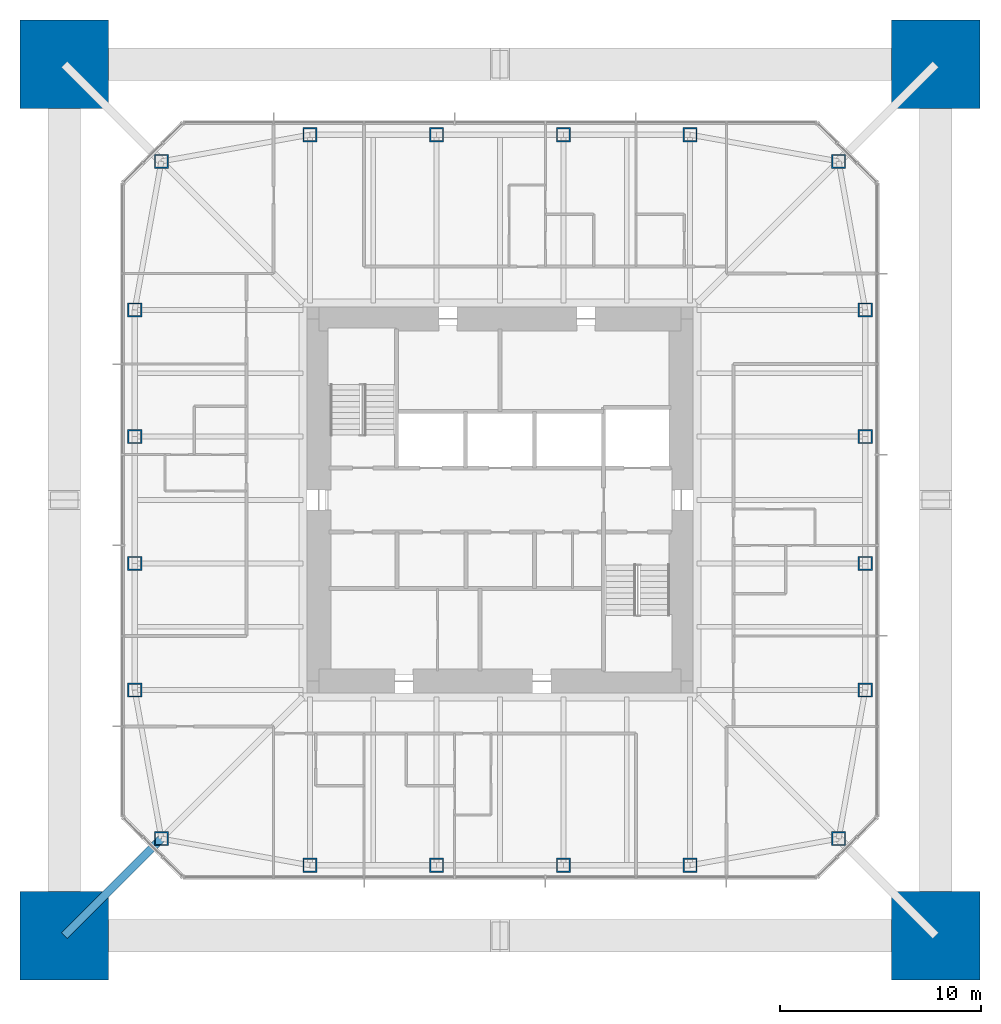
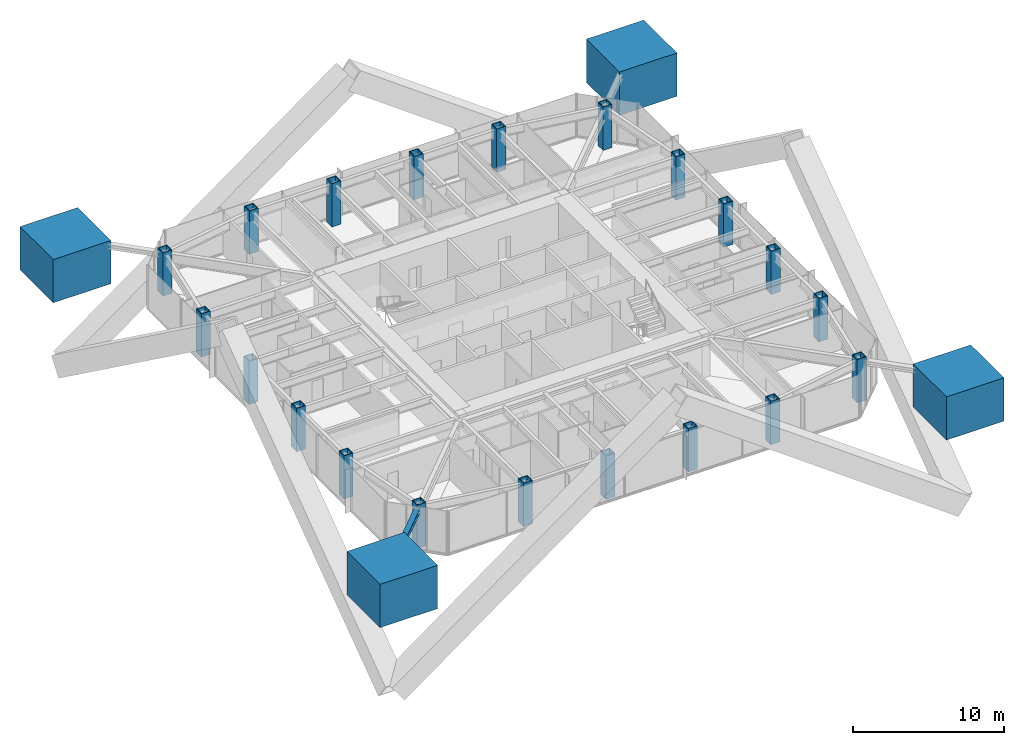
# One storey, part 1 of 13: 24 columns, 1 member.
"""IFC4 building model written with IfcOpenShell, lengths in metres."""

from ifc_helpers import new_model, si_unit, direction, frame, origin, origin_2d, place, context, subcontext, project, spatial, rectangle, hollow_rectangle, i_section, extrude, material, material_profile, profile_set, type_object, element, save


model = new_model("IFC4")

# Units and contexts
model_context = context("Model", 3, precision=1e-05, world=origin(), true_north=direction((0.0, 1.0)))
body_context = subcontext(model_context, "Body", "Model", "MODEL_VIEW")
ifc_project = project(units=[si_unit("LENGTHUNIT", "METRE"), si_unit("AREAUNIT", "SQUARE_METRE"), si_unit("VOLUMEUNIT", "CUBIC_METRE"), si_unit("PLANEANGLEUNIT", "RADIAN"), si_unit("MASSUNIT", "GRAM", prefix="KILO")], contexts=[model_context])

# Site, building, storey
site_placement = place(None, origin())
site = spatial("IfcSite", under=ifc_project, at=site_placement, CompositionType="ELEMENT")
building_placement = place(site_placement, origin())
building = spatial("IfcBuilding", under=site, at=building_placement, Name="Iwan Alto Co-Living Towers", CompositionType="ELEMENT")
storey_placement = place(building_placement, frame((0.0, 0.0, 184.5)))
storey = spatial("IfcBuildingStorey", under=building, at=storey_placement, Name="L50", CompositionType="ELEMENT", Elevation=184.5)

# Columns
ifc_material_1 = material(Name="Concrete f'c 70 MPa", Category="concrete")
ifc_material_profile_1 = material_profile(ifc_material_1, rectangle(XDim=4.39990234375, YDim=4.39990234375, at=origin_2d()), Name="RC 4400X4400")
ifc_profile_set_1 = profile_set([ifc_material_profile_1], Name="Concrete f'c 70 MPa")
column_type_1 = type_object("IfcColumnType", Name="T1 MEGA COLUMN RC 4400X4400", PredefinedType="COLUMN", material=ifc_profile_set_1)
for number, where, z_axis, x_axis, name in (
    (1, (-21.64990234375, -21.64990234375, 0.0), (0.0, 0.0, 1.0), (1.0, 0.0, 0.0), "T1 mega column SW L50"),
    (2, (21.64990234375, -21.64990234375, 0.0), (0.0, 0.0, 1.0), (1.0, 0.0, 0.0), "T1 mega column SE L50"),
    (3, (21.64990234375, 21.64990234375, 0.0), (0.0, 0.0, 1.0), (1.0, 0.0, 0.0), "T1 mega column NE L50"),
    (4, (-21.64990234375, 21.64990234375, 0.0), (0.0, 0.0, 1.0), (1.0, 0.0, 0.0), "T1 mega column NW L50"),
):
    element("IfcColumn", number, at=place(storey_placement, frame(where, z_axis=z_axis, x_axis=x_axis)), inside=storey, type_object=column_type_1, Name=name, PredefinedType="COLUMN", context=body_context, shape_type="SweptSolid", body=[
        extrude(rectangle(XDim=4.39990234375, YDim=4.39990234375, at=origin_2d()), origin(), (0.0, 0.0, 1.0), 3.5),
        extrude(i_section(OverallWidth=0.4775390625, OverallDepth=0.599365234375, WebThickness=0.10009765625, FlangeThickness=0.139892578125, at=origin_2d()), origin(), (0.0, 0.0, 1.0), 3.5),
    ])
ifc_material_2 = material(Name="Steel ASTM A572 Gr 50", Category="steel")
ifc_material_profile_2 = material_profile(ifc_material_2, hollow_rectangle(XDim=0.699951171875, YDim=0.699951171875, WallThickness=0.06005859375, at=origin_2d()), Name="BOX 700X700X60")
ifc_profile_set_2 = profile_set([ifc_material_profile_2], Name="Steel ASTM A572 Gr 50")
column_type_2 = type_object("IfcColumnType", Name="T1 RING COLUMN BOX 700X700X60", PredefinedType="COLUMN", material=ifc_profile_set_2)
for number, where, z_axis, x_axis, name in (
    (5, (-16.82568359375, -16.82568359375, 0.0), (0.0, 0.0, 1.0), (1.0, 0.0, 0.0), "T1 ring column CSW L50"),
    (6, (-9.449951171875, -18.14990234375, 0.0), (0.0, 0.0, 1.0), (1.0, 0.0, 0.0), "T1 ring column S1 L50"),
    (7, (-3.14990234375, -18.14990234375, 0.0), (0.0, 0.0, 1.0), (1.0, 0.0, 0.0), "T1 ring column S2 L50"),
    (8, (3.14990234375, -18.14990234375, 0.0), (0.0, 0.0, 1.0), (1.0, 0.0, 0.0), "T1 ring column S3 L50"),
    (9, (9.449951171875, -18.14990234375, 0.0), (0.0, 0.0, 1.0), (1.0, 0.0, 0.0), "T1 ring column S4 L50"),
    (10, (16.82568359375, -16.82568359375, 0.0), (0.0, 0.0, 1.0), (1.0, 0.0, 0.0), "T1 ring column CSE L50"),
    (11, (18.14990234375, -9.449951171875, 0.0), (0.0, 0.0, 1.0), (1.0, 0.0, 0.0), "T1 ring column E1 L50"),
    (12, (18.14990234375, -3.14990234375, 0.0), (0.0, 0.0, 1.0), (1.0, 0.0, 0.0), "T1 ring column E2 L50"),
    (13, (18.14990234375, 3.14990234375, 0.0), (0.0, 0.0, 1.0), (1.0, 0.0, 0.0), "T1 ring column E3 L50"),
    (14, (18.14990234375, 9.449951171875, 0.0), (0.0, 0.0, 1.0), (1.0, 0.0, 0.0), "T1 ring column E4 L50"),
    (15, (16.82568359375, 16.82568359375, 0.0), (0.0, 0.0, 1.0), (1.0, 0.0, 0.0), "T1 ring column CNE L50"),
    (16, (9.449951171875, 18.14990234375, 0.0), (0.0, 0.0, 1.0), (1.0, 0.0, 0.0), "T1 ring column N1 L50"),
    (17, (3.14990234375, 18.14990234375, 0.0), (0.0, 0.0, 1.0), (1.0, 0.0, 0.0), "T1 ring column N2 L50"),
    (18, (-3.14990234375, 18.14990234375, 0.0), (0.0, 0.0, 1.0), (1.0, 0.0, 0.0), "T1 ring column N3 L50"),
    (19, (-9.449951171875, 18.14990234375, 0.0), (0.0, 0.0, 1.0), (1.0, 0.0, 0.0), "T1 ring column N4 L50"),
    (20, (-16.82568359375, 16.82568359375, 0.0), (0.0, 0.0, 1.0), (1.0, 0.0, 0.0), "T1 ring column CNW L50"),
    (21, (-18.14990234375, 9.449951171875, 0.0), (0.0, 0.0, 1.0), (1.0, 0.0, 0.0), "T1 ring column W1 L50"),
    (22, (-18.14990234375, 3.14990234375, 0.0), (0.0, 0.0, 1.0), (1.0, 0.0, 0.0), "T1 ring column W2 L50"),
    (23, (-18.14990234375, -3.14990234375, 0.0), (0.0, 0.0, 1.0), (1.0, 0.0, 0.0), "T1 ring column W3 L50"),
    (24, (-18.14990234375, -9.449951171875, 0.0), (0.0, 0.0, 1.0), (1.0, 0.0, 0.0), "T1 ring column W4 L50"),
):
    element("IfcColumn", number, at=place(storey_placement, frame(where, z_axis=z_axis, x_axis=x_axis)), inside=storey, type_object=column_type_2, Name=name, PredefinedType="COLUMN", context=body_context, shape_type="SweptSolid", body=[
        extrude(hollow_rectangle(XDim=0.699951171875, YDim=0.699951171875, WallThickness=0.06005859375, at=origin_2d()), origin(), (0.0, 0.0, 1.0), 3.5),
    ])

# Member
ifc_material_3 = material(Name="Steel ASTM A992 Gr 50", Category="steel")
ifc_material_profile_3 = material_profile(ifc_material_3, i_section(OverallWidth=0.393798828125, OverallDepth=0.3759765625, WebThickness=0.017333984375, FlangeThickness=0.027587890625, at=origin_2d()), Name="W14X145")
ifc_profile_set_3 = profile_set([ifc_material_profile_3], Name="Steel ASTM A992 Gr 50")
member_type = type_object("IfcMemberType", Name="T1 MEGA COLUMN FLOOR TIE W14X145", PredefinedType="STRUT", material=ifc_profile_set_3)
member_placement = place(storey_placement, frame((-21.64990234375, -21.64990234375, 3.08203125), z_axis=(0.707106781187, 0.707106781187, 0.0), x_axis=(-0.707106781187, 0.707106781187, 0.0)))
element("IfcMember", 25, at=member_placement, inside=storey, type_object=member_type, Name="T1 mega column floor tie SW L51", PredefinedType="STRUT", context=body_context, shape_type="SweptSolid", body=[
    extrude(i_section(OverallWidth=0.393798828125, OverallDepth=0.3759765625, WebThickness=0.017333984375, FlangeThickness=0.027587890625, at=origin_2d()), origin(), (0.0, 0.0, 1.0), 6.822509765625),
])

save(model, "model.ifc")
